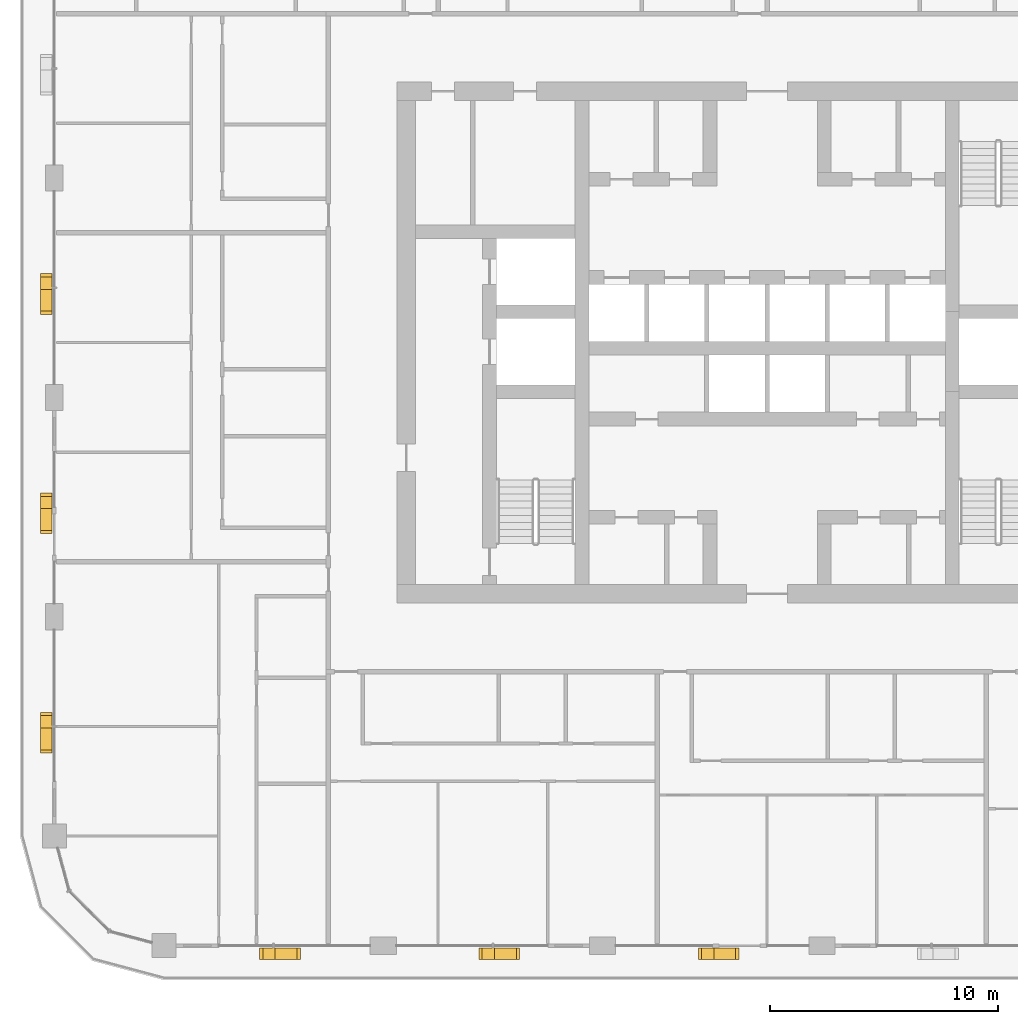
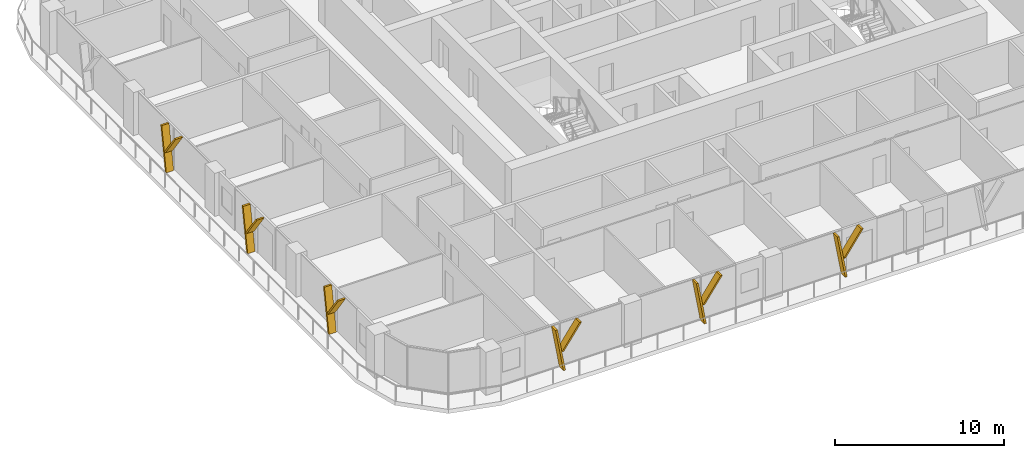
# One storey, part 17 of 22: 12 shading devices.
"""IFC4 building model written with IfcOpenShell, lengths in metres."""

from ifc_helpers import new_model, si_unit, direction, frame, origin, place, context, subcontext, project, spatial, polyline, outline, extrude, material, type_object, element, save


model = new_model("IFC4")

# Units and contexts
model_context = context("Model", 3, precision=1e-05, world=origin(), true_north=direction((0.0, 1.0)))
body_context = subcontext(model_context, "Body", "Model", "MODEL_VIEW")
ifc_project = project(units=[si_unit("LENGTHUNIT", "METRE"), si_unit("AREAUNIT", "SQUARE_METRE"), si_unit("VOLUMEUNIT", "CUBIC_METRE"), si_unit("PLANEANGLEUNIT", "RADIAN"), si_unit("MASSUNIT", "GRAM", prefix="KILO")], contexts=[model_context])

# Site, building, storey
site_placement = place(None, origin())
site = spatial("IfcSite", under=ifc_project, at=site_placement, CompositionType="ELEMENT")
building_placement = place(site_placement, origin())
building = spatial("IfcBuilding", under=site, at=building_placement, Name="Madar Terraces", CompositionType="ELEMENT")
storey_placement = place(building_placement, frame((0.0, 0.0, 170.0)))
storey = spatial("IfcBuildingStorey", under=building, at=storey_placement, Name="L44", CompositionType="ELEMENT", Elevation=170.0)

# Shading devices
ifc_material = material(Name="Aluminium, black anodised", Category="aluminium")
shading_device_type = type_object("IfcShadingDeviceType", Name="Facade fin blade 140 x 500", PredefinedType="USERDEFINED", material=ifc_material)
shading_device_1_placement = place(storey_placement, frame((9.530029296875, -0.35009765625, 0.0), z_axis=(0.0, 0.0, 1.0), x_axis=(1.0, 0.0, 0.0)))
element("IfcShadingDevice", 1, at=shading_device_1_placement, inside=storey, type_object=shading_device_type, Name="FIN L44 S1", ObjectType="FIN", PredefinedType="USERDEFINED", context=body_context, shape_type="SweptSolid", body=[
    extrude(outline(polyline([(0.0, 0.0), (0.139892578125, 0.0), (-0.403076171875, 3.080078125), (-0.54296875, 3.080078125), (0.0, 0.0)])), frame((0.0, 0.25, 0.0), z_axis=(0.0, -1.0, 0.0), x_axis=(1.0, 0.0, 0.0)), (0.0, 0.0, 1.0), 0.5),
])
shading_device_2_placement = place(storey_placement, frame((9.425537109375, -0.35009765625, 1.385986328125), z_axis=(0.0, 0.0, 1.0), x_axis=(1.0, 0.0, 0.0)))
element("IfcShadingDevice", 2, at=shading_device_2_placement, inside=storey, type_object=shading_device_type, Name="FIN L44 S1 branch", ObjectType="FIN", PredefinedType="USERDEFINED", context=body_context, shape_type="SweptSolid", body=[
    extrude(outline(polyline([(0.0, 0.0), (0.14013671875, 0.0), (1.34130859375, 1.694091796875), (1.201416015625, 1.694091796875), (0.0, 0.0)])), frame((0.0, 0.25, 0.0), z_axis=(0.0, -1.0, 0.0), x_axis=(1.0, 0.0, 0.0)), (0.0, 0.0, 1.0), 0.5),
])
shading_device_3_placement = place(storey_placement, frame((19.1298828125, -0.35009765625, 0.0), z_axis=(0.0, 0.0, 1.0), x_axis=(1.0, 0.0, 0.0)))
element("IfcShadingDevice", 3, at=shading_device_3_placement, inside=storey, type_object=shading_device_type, Name="FIN L44 S2", ObjectType="FIN", PredefinedType="USERDEFINED", context=body_context, shape_type="SweptSolid", body=[
    extrude(outline(polyline([(0.0, 0.0), (0.14013671875, 0.0), (-0.403076171875, 3.080078125), (-0.54296875, 3.080078125), (0.0, 0.0)])), frame((0.0, 0.25, 0.0), z_axis=(0.0, -1.0, 0.0), x_axis=(1.0, 0.0, 0.0)), (0.0, 0.0, 1.0), 0.5),
])
shading_device_4_placement = place(storey_placement, frame((19.025634765625, -0.35009765625, 1.385986328125), z_axis=(0.0, 0.0, 1.0), x_axis=(1.0, 0.0, 0.0)))
element("IfcShadingDevice", 4, at=shading_device_4_placement, inside=storey, type_object=shading_device_type, Name="FIN L44 S2 branch", ObjectType="FIN", PredefinedType="USERDEFINED", context=body_context, shape_type="SweptSolid", body=[
    extrude(outline(polyline([(0.0, 0.0), (0.139892578125, 0.0), (1.34130859375, 1.694091796875), (1.201416015625, 1.694091796875), (0.0, 0.0)])), frame((0.0, 0.25, 0.0), z_axis=(0.0, -1.0, 0.0), x_axis=(1.0, 0.0, 0.0)), (0.0, 0.0, 1.0), 0.5),
])
shading_device_5_placement = place(storey_placement, frame((28.72998046875, -0.35009765625, 0.0), z_axis=(0.0, 0.0, 1.0), x_axis=(1.0, 0.0, 0.0)))
element("IfcShadingDevice", 5, at=shading_device_5_placement, inside=storey, type_object=shading_device_type, Name="FIN L44 S3", ObjectType="FIN", PredefinedType="USERDEFINED", context=body_context, shape_type="SweptSolid", body=[
    extrude(outline(polyline([(0.0, 0.0), (0.14013671875, 0.0), (-0.403076171875, 3.080078125), (-0.54296875, 3.080078125), (0.0, 0.0)])), frame((0.0, 0.25, 0.0), z_axis=(0.0, -1.0, 0.0), x_axis=(1.0, 0.0, 0.0)), (0.0, 0.0, 1.0), 0.5),
])
shading_device_6_placement = place(storey_placement, frame((28.625732421875, -0.35009765625, 1.385986328125), z_axis=(0.0, 0.0, 1.0), x_axis=(1.0, 0.0, 0.0)))
element("IfcShadingDevice", 6, at=shading_device_6_placement, inside=storey, type_object=shading_device_type, Name="FIN L44 S3 branch", ObjectType="FIN", PredefinedType="USERDEFINED", context=body_context, shape_type="SweptSolid", body=[
    extrude(outline(polyline([(0.0, 0.0), (0.139892578125, 0.0), (1.34130859375, 1.694091796875), (1.201416015625, 1.694091796875), (0.0, 0.0)])), frame((0.0, 0.25, 0.0), z_axis=(0.0, -1.0, 0.0), x_axis=(1.0, 0.0, 0.0)), (0.0, 0.0, 1.0), 0.5),
])
shading_device_7_placement = place(storey_placement, frame((-0.35009765625, 28.8701171875, 0.0), z_axis=(0.0, 0.0, 1.0), x_axis=(0.0, -1.0, 0.0)))
element("IfcShadingDevice", 7, at=shading_device_7_placement, inside=storey, type_object=shading_device_type, Name="FIN L44 W2", ObjectType="FIN", PredefinedType="USERDEFINED", context=body_context, shape_type="SweptSolid", body=[
    extrude(outline(polyline([(0.0, 0.0), (0.14013671875, 0.0), (-0.403076171875, 3.080078125), (-0.54296875, 3.080078125), (0.0, 0.0)])), frame((0.0, 0.25, 0.0), z_axis=(0.0, -1.0, 0.0), x_axis=(1.0, 0.0, 0.0)), (0.0, 0.0, 1.0), 0.5),
])
shading_device_8_placement = place(storey_placement, frame((-0.35009765625, 28.974365234375, 1.385986328125), z_axis=(0.0, 0.0, 1.0), x_axis=(0.0, -1.0, 0.0)))
element("IfcShadingDevice", 8, at=shading_device_8_placement, inside=storey, type_object=shading_device_type, Name="FIN L44 W2 branch", ObjectType="FIN", PredefinedType="USERDEFINED", context=body_context, shape_type="SweptSolid", body=[
    extrude(outline(polyline([(0.0, 0.0), (0.139892578125, 0.0), (1.34130859375, 1.694091796875), (1.201416015625, 1.694091796875), (0.0, 0.0)])), frame((0.0, 0.25, 0.0), z_axis=(0.0, -1.0, 0.0), x_axis=(1.0, 0.0, 0.0)), (0.0, 0.0, 1.0), 0.5),
])
shading_device_9_placement = place(storey_placement, frame((-0.35009765625, 19.27001953125, 0.0), z_axis=(0.0, 0.0, 1.0), x_axis=(0.0, -1.0, 0.0)))
element("IfcShadingDevice", 9, at=shading_device_9_placement, inside=storey, type_object=shading_device_type, Name="FIN L44 W3", ObjectType="FIN", PredefinedType="USERDEFINED", context=body_context, shape_type="SweptSolid", body=[
    extrude(outline(polyline([(0.0, 0.0), (0.14013671875, 0.0), (-0.403076171875, 3.080078125), (-0.54296875, 3.080078125), (0.0, 0.0)])), frame((0.0, 0.25, 0.0), z_axis=(0.0, -1.0, 0.0), x_axis=(1.0, 0.0, 0.0)), (0.0, 0.0, 1.0), 0.5),
])
shading_device_10_placement = place(storey_placement, frame((-0.35009765625, 19.374267578125, 1.385986328125), z_axis=(0.0, 0.0, 1.0), x_axis=(0.0, -1.0, 0.0)))
element("IfcShadingDevice", 10, at=shading_device_10_placement, inside=storey, type_object=shading_device_type, Name="FIN L44 W3 branch", ObjectType="FIN", PredefinedType="USERDEFINED", context=body_context, shape_type="SweptSolid", body=[
    extrude(outline(polyline([(0.0, 0.0), (0.139892578125, 0.0), (1.34130859375, 1.694091796875), (1.201416015625, 1.694091796875), (0.0, 0.0)])), frame((0.0, 0.25, 0.0), z_axis=(0.0, -1.0, 0.0), x_axis=(1.0, 0.0, 0.0)), (0.0, 0.0, 1.0), 0.5),
])
shading_device_11_placement = place(storey_placement, frame((-0.35009765625, 9.669921875, 0.0), z_axis=(0.0, 0.0, 1.0), x_axis=(0.0, -1.0, 0.0)))
element("IfcShadingDevice", 11, at=shading_device_11_placement, inside=storey, type_object=shading_device_type, Name="FIN L44 W4", ObjectType="FIN", PredefinedType="USERDEFINED", context=body_context, shape_type="SweptSolid", body=[
    extrude(outline(polyline([(0.0, 0.0), (0.139892578125, 0.0), (-0.403076171875, 3.080078125), (-0.54296875, 3.080078125), (0.0, 0.0)])), frame((0.0, 0.25, 0.0), z_axis=(0.0, -1.0, 0.0), x_axis=(1.0, 0.0, 0.0)), (0.0, 0.0, 1.0), 0.5),
])
shading_device_12_placement = place(storey_placement, frame((-0.35009765625, 9.7744140625, 1.385986328125), z_axis=(0.0, 0.0, 1.0), x_axis=(0.0, -1.0, 0.0)))
element("IfcShadingDevice", 12, at=shading_device_12_placement, inside=storey, type_object=shading_device_type, Name="FIN L44 W4 branch", ObjectType="FIN", PredefinedType="USERDEFINED", context=body_context, shape_type="SweptSolid", body=[
    extrude(outline(polyline([(0.0, 0.0), (0.14013671875, 0.0), (1.34130859375, 1.694091796875), (1.201416015625, 1.694091796875), (0.0, 0.0)])), frame((0.0, 0.25, 0.0), z_axis=(0.0, -1.0, 0.0), x_axis=(1.0, 0.0, 0.0)), (0.0, 0.0, 1.0), 0.5),
])

save(model, "model.ifc")
